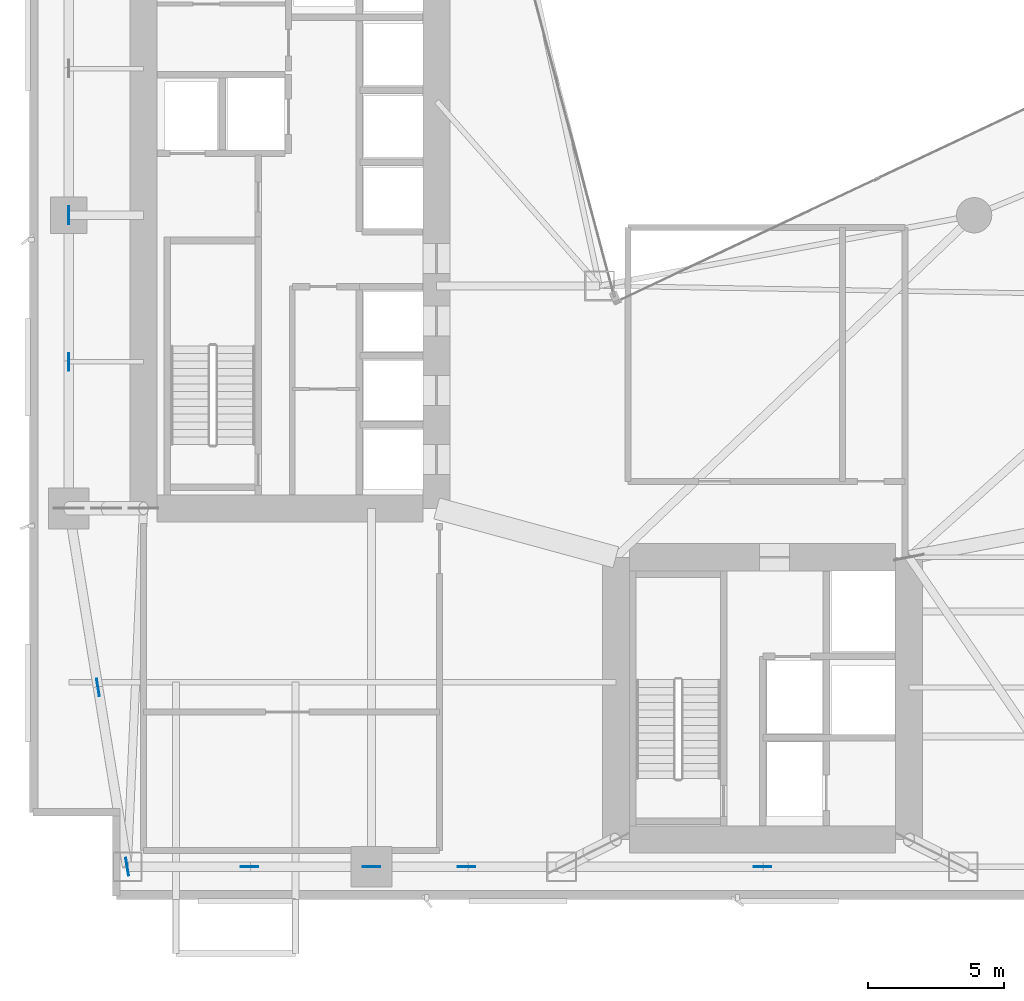
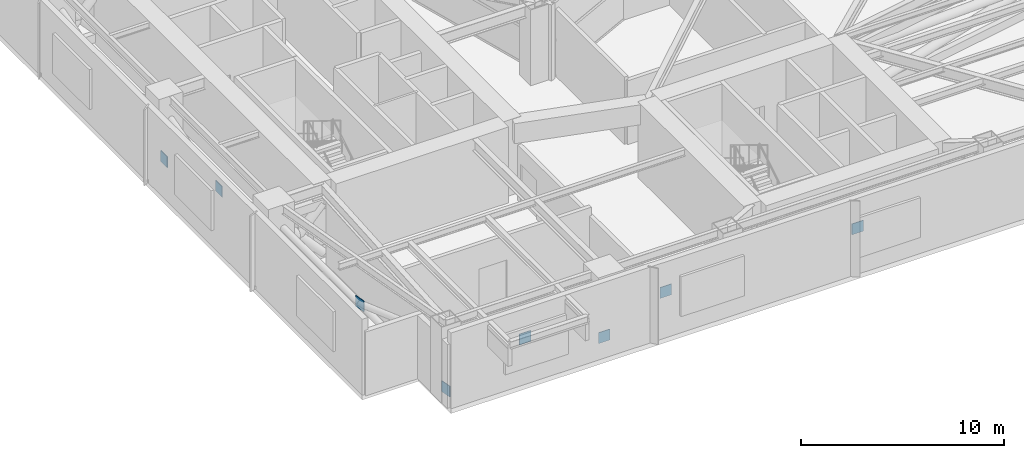
# One storey, part 10 of 18: 8 plates.
"""IFC4 building model written with IfcOpenShell, lengths in metres."""

import ifcopenshell
import ifcopenshell.guid

model = None  # the IFC model being written
_history = None  # IfcOwnerHistory: only IFC2X3 demands one
_inside = {}  # id of a spatial element -> (the spatial element, [elements in it])
_under = {}  # id of a project, library or spatial element -> (it, [spatial elements below it])
_declared = {}  # id of a project -> (the project, [libraries it declares])
_typed = {}  # id of a type object -> (the type object, [elements of that type])
_made_of = {}  # id of a material, layer set ... -> (it, [elements and type objects made of it])


def new_model(schema):
    """Start an empty IFC model of exactly this schema.

    Asked for "IFC4X3", IfcOpenShell would pick the latest addendum, in which some entities
    have other attributes; the version numbers below select the first issue.
    IFC2X3 requires an IfcOwnerHistory on every rooted entity: one is made here for all.
    """
    global model, _history
    if schema == "IFC4X3":
        model = ifcopenshell.file(schema_version=(4, 3, 0, 0))
    else:
        model = ifcopenshell.file(schema=schema)
    _inside.clear()
    _under.clear()
    _declared.clear()
    _typed.clear()
    _made_of.clear()
    _history = None
    if model.schema == "IFC2X3":
        org = make("IfcOrganization", Name="unknown")
        user = make(
            "IfcPersonAndOrganization",
            ThePerson=make("IfcPerson", FamilyName="unknown"),
            TheOrganization=org,
        )
        app = make(
            "IfcApplication",
            ApplicationDeveloper=org,
            Version="unknown",
            ApplicationFullName="unknown",
            ApplicationIdentifier="unknown",
        )
        _history = make(
            "IfcOwnerHistory",
            OwningUser=user,
            OwningApplication=app,
            ChangeAction="ADDED",
            CreationDate=0,
        )
    return model


def make(cls, **values):
    """One entity of the class cls with the attributes given. An attribute that is None is left unset."""
    return model.create_entity(
        cls, **{name: value for name, value in values.items() if value is not None}
    )


def rooted(cls, **values):
    """An entity with a GlobalId (a new one), such as an element, a storey or a relation."""
    return make(cls, GlobalId=ifcopenshell.guid.new(), OwnerHistory=_history, **values)


def si_unit(unit_type, name, prefix=None):
    """IfcSIUnit, for example si_unit("LENGTHUNIT", "METRE", prefix="MILLI")."""
    return make("IfcSIUnit", UnitType=unit_type, Prefix=prefix, Name=name)


def assignment(units):
    """IfcUnitAssignment: the units of a project."""
    return None if units is None else make("IfcUnitAssignment", Units=units)


def point(xyz):
    """IfcCartesianPoint."""
    return None if xyz is None else make("IfcCartesianPoint", Coordinates=xyz)


def direction(xyz):
    """IfcDirection."""
    return None if xyz is None else make("IfcDirection", DirectionRatios=xyz)


def frame(location, z_axis=None, x_axis=None):
    """IfcAxis2Placement3D, a coordinate frame: its origin and axes. An axis left out is left unset."""
    return make(
        "IfcAxis2Placement3D",
        Location=point(location),
        Axis=direction(z_axis),
        RefDirection=direction(x_axis),
    )


def frame_2d(location, x_axis=None):
    """IfcAxis2Placement2D, a coordinate frame in the plane: its origin and x axis."""
    return make(
        "IfcAxis2Placement2D", Location=point(location), RefDirection=direction(x_axis)
    )


def origin():
    """The frame at (0, 0, 0) with its axes left unset."""
    return frame((0.0, 0.0, 0.0))


def origin_2d():
    """The frame at (0, 0) in the plane with its x axis left unset."""
    return frame_2d((0.0, 0.0))


def place(relative_to, where):
    """IfcLocalPlacement: puts the frame where relative to a parent placement (None: the world)."""
    return make(
        "IfcLocalPlacement", PlacementRelTo=relative_to, RelativePlacement=where
    )


def context(
    kind, dimensions, precision=None, world=None, true_north=None, identifier=None
):
    """IfcGeometricRepresentationContext, for example the 3D "Model" context."""
    return make(
        "IfcGeometricRepresentationContext",
        ContextIdentifier=identifier,
        ContextType=kind,
        CoordinateSpaceDimension=dimensions,
        Precision=precision,
        WorldCoordinateSystem=world,
        TrueNorth=true_north,
    )


def subcontext(parent, identifier, kind, view, scale=None):
    """IfcGeometricRepresentationSubContext, for example "Body" below "Model"."""
    return make(
        "IfcGeometricRepresentationSubContext",
        ContextIdentifier=identifier,
        ContextType=kind,
        ParentContext=parent,
        TargetScale=scale,
        TargetView=view,
    )


def project(units=None, contexts=None):
    """IfcProject with its units and contexts."""
    return rooted(
        "IfcProject",
        Name="project",
        RepresentationContexts=contexts,
        UnitsInContext=assignment(units),
    )


def spatial(cls, under=None, at=None, **own):
    """A site, building, storey or space (cls), placed at a placement, below another one or the project."""
    s = rooted(cls, ObjectPlacement=at, **own)
    if under is not None:
        _under.setdefault(under.id(), (under, []))[1].append(s)
    return s


def profile(cls, at=None, kind="AREA", **sizes):
    """A parametric profile (cls). Its sizes go by their IFC names, for example OverallWidth=200.0."""
    return make(cls, ProfileType=kind, Position=at, **sizes)


def rectangle(**sizes):
    """IfcRectangleProfileDef."""
    return profile("IfcRectangleProfileDef", **sizes)


def extrude(swept, where, along, depth):
    """IfcExtrudedAreaSolid: the profile swept, set in the frame where, extruded along a direction by depth."""
    return make(
        "IfcExtrudedAreaSolid",
        SweptArea=swept,
        Position=where,
        ExtrudedDirection=direction(along),
        Depth=depth,
    )


def shape(context_of_items, identifier, shape_type, items):
    """IfcShapeRepresentation: the items that make up one representation, for example the "Body"."""
    return make(
        "IfcShapeRepresentation",
        ContextOfItems=context_of_items,
        RepresentationIdentifier=identifier,
        RepresentationType=shape_type,
        Items=items,
    )


def material(Name=None, Category=None):
    """IfcMaterial."""
    return make("IfcMaterial", Name=Name, Category=Category)


def layer(
    of_material, thickness, ventilated=None, Name=None, Category=None, Priority=None
):
    """IfcMaterialLayer: one layer of a wall or slab, of a material (None: an air gap)."""
    return make(
        "IfcMaterialLayer",
        Material=of_material,
        LayerThickness=thickness,
        IsVentilated=ventilated,
        Name=Name,
        Category=Category,
        Priority=Priority,
    )


def layer_set(layers, Name=None):
    """IfcMaterialLayerSet."""
    return make("IfcMaterialLayerSet", MaterialLayers=layers, LayerSetName=Name)


def made_of(thing, what):
    """Note that an element or type object is made of a material, layer set ...; save() writes the relation."""
    if what is not None:
        _made_of.setdefault(what.id(), (what, []))[1].append(thing)
    return thing


def type_object(cls, material=None, **own):
    """A type object (cls), such as IfcWallType, which elements share."""
    return made_of(rooted(cls, **own), material)


def element(
    cls,
    number,
    at=None,
    inside=None,
    cuts=None,
    type_object=None,
    material=None,
    context=None,
    identifier="Body",
    shape_type=None,
    held_by="IfcProductDefinitionShape",
    body=None,
    shapes=None,
    **own,
):
    """One element of the class cls, such as IfcWall. Its Tag is "e" and its number.

    at: its placement. inside: the storey or other place that contains it. cuts: it is an
    opening in that element (IfcRelVoidsElement). A single representation is given by context,
    identifier, shape_type and body (its items); several are given by shapes. held_by: the class
    of the entity that holds the representations. save() writes the other relations.
    """
    e = rooted(cls, Tag="e%d" % number, ObjectPlacement=at, **own)
    if body is not None:
        shapes = [shape(context, identifier, shape_type, body)]
    if shapes is not None:
        e.Representation = make(held_by, Representations=shapes)
    if inside is not None:
        _inside.setdefault(inside.id(), (inside, []))[1].append(e)
    if cuts is not None:
        rooted(
            "IfcRelVoidsElement", RelatingBuildingElement=cuts, RelatedOpeningElement=e
        )
    if type_object is not None:
        _typed.setdefault(type_object.id(), (type_object, []))[1].append(e)
    return made_of(e, material)


def aggregate(whole, parts):
    """IfcRelAggregates: a whole, such as a stair, and the parts it consists of."""
    return rooted("IfcRelAggregates", RelatingObject=whole, RelatedObjects=parts)


def save(model, path):
    """Write the relations noted so far, then the file.

    IfcRelAggregates (storeys below a building ...), IfcRelContainedInSpatialStructure (elements
    in a storey), IfcRelDefinesByType, IfcRelAssociatesMaterial and IfcRelDeclares: one each for
    every whole, place, type object, material and project.
    """
    for whole, parts in _under.values():
        aggregate(whole, parts)
    for where, things in _inside.values():
        rooted(
            "IfcRelContainedInSpatialStructure",
            RelatedElements=things,
            RelatingStructure=where,
        )
    for kind, things in _typed.values():
        rooted("IfcRelDefinesByType", RelatedObjects=things, RelatingType=kind)
    for what, things in _made_of.values():
        rooted("IfcRelAssociatesMaterial", RelatedObjects=things, RelatingMaterial=what)
    for by, libraries in _declared.values():
        rooted("IfcRelDeclares", RelatingContext=by, RelatedDefinitions=libraries)
    model.write(path)


model = new_model("IFC4")

# Units and contexts
model_context = context("Model", 3, precision=1e-05, world=origin(), true_north=direction((0.0, 1.0)))
body_context = subcontext(model_context, "Body", "Model", "MODEL_VIEW")
ifc_project = project(units=[si_unit("LENGTHUNIT", "METRE"), si_unit("AREAUNIT", "SQUARE_METRE"), si_unit("VOLUMEUNIT", "CUBIC_METRE"), si_unit("PLANEANGLEUNIT", "RADIAN"), si_unit("MASSUNIT", "GRAM", prefix="KILO")], contexts=[model_context])

# Site, building, storey
site_placement = place(None, origin())
site = spatial("IfcSite", under=ifc_project, at=site_placement, CompositionType="ELEMENT")
building_placement = place(site_placement, origin())
building = spatial("IfcBuilding", under=site, at=building_placement, Name="Calvorn Quay Hotel", CompositionType="ELEMENT")
storey_placement = place(building_placement, frame((0.0, 0.0, 46.0)))
storey = spatial("IfcBuildingStorey", under=building, at=storey_placement, Name="L10", CompositionType="ELEMENT", Elevation=46.0)

# Plates
ifc_material = material(Name="Steel Q390GJC", Category="steel")
ifc_layer = layer(ifc_material, 0.035888671875)
ifc_layer_set = layer_set([ifc_layer], Name="PLT-GUSSET-36")
plate_type = type_object("IfcPlateType", Name="PLT-GUSSET-36", PredefinedType="SHEET", material=ifc_layer_set)
for number, where, z_axis, x_axis, name in (
    (1, (3.60009765625, 3.60009765625, 0.025146484375), (0.0, 0.0, 1.0), (-0.160742565604, 0.98699636656, 0.0), "Belt Truss Gusset Plate L10-BW1-A"),
    (2, (2.52490234375, 10.199951171875, 1.52001953125), (0.0, 0.0, 1.0), (-0.160742565604, 0.98699636656, 0.0), "Belt Truss Gusset Plate L10-BW1-X"),
    (3, (1.449951171875, 22.199951171875, 1.52001953125), (0.0, 0.0, 1.0), (0.0, 1.0, 0.0), "Belt Truss Gusset Plate L10-BW2-X"),
    (4, (1.449951171875, 27.60009765625, 0.025146484375), (0.0, 0.0, 1.0), (0.0, 1.0, 0.0), "Belt Truss Gusset Plate L10-BW2-B"),
    (5, (8.10009765625, 3.60009765625, 1.52001953125), (0.0, 0.0, 1.0), (1.0, 0.0, 0.0), "Belt Truss Gusset Plate L10-BS1-X"),
    (6, (12.60009765625, 3.60009765625, 0.025146484375), (0.0, 0.0, 1.0), (1.0, 0.0, 0.0), "Belt Truss Gusset Plate L10-BS1-B"),
    (7, (16.10009765625, 3.60009765625, 1.52001953125), (0.0, 0.0, 1.0), (1.0, 0.0, 0.0), "Belt Truss Gusset Plate L10-BS2-X"),
    (8, (27.0, 3.60009765625, 1.52001953125), (0.0, 0.0, 1.0), (1.0, 0.0, 0.0), "Belt Truss Gusset Plate L10-BS3-X"),
):
    element("IfcPlate", number, at=place(storey_placement, frame(where, z_axis=z_axis, x_axis=x_axis)), inside=storey, type_object=plate_type, Name=name, PredefinedType="SHEET", context=body_context, shape_type="SweptSolid", body=[
        extrude(rectangle(XDim=0.64990234375, YDim=0.035888671875, at=origin_2d()), origin(), (0.0, 0.0, 1.0), 0.64990234375),
    ])

save(model, "model.ifc")
